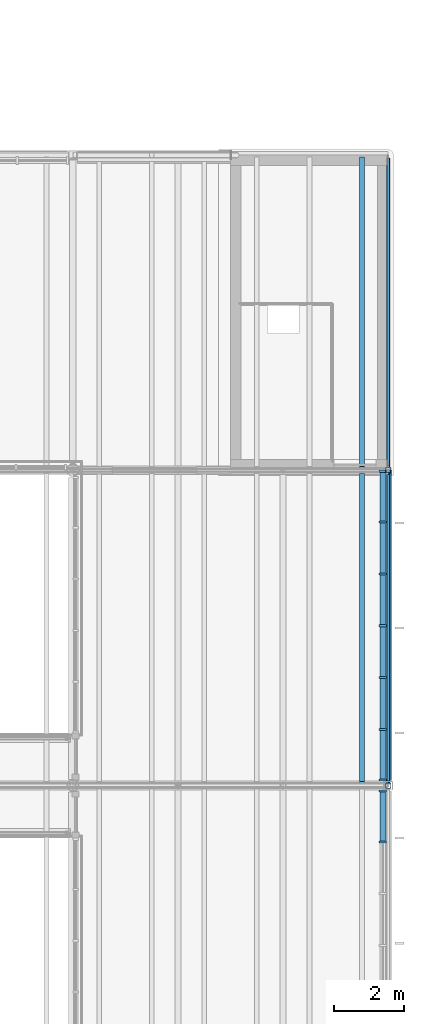
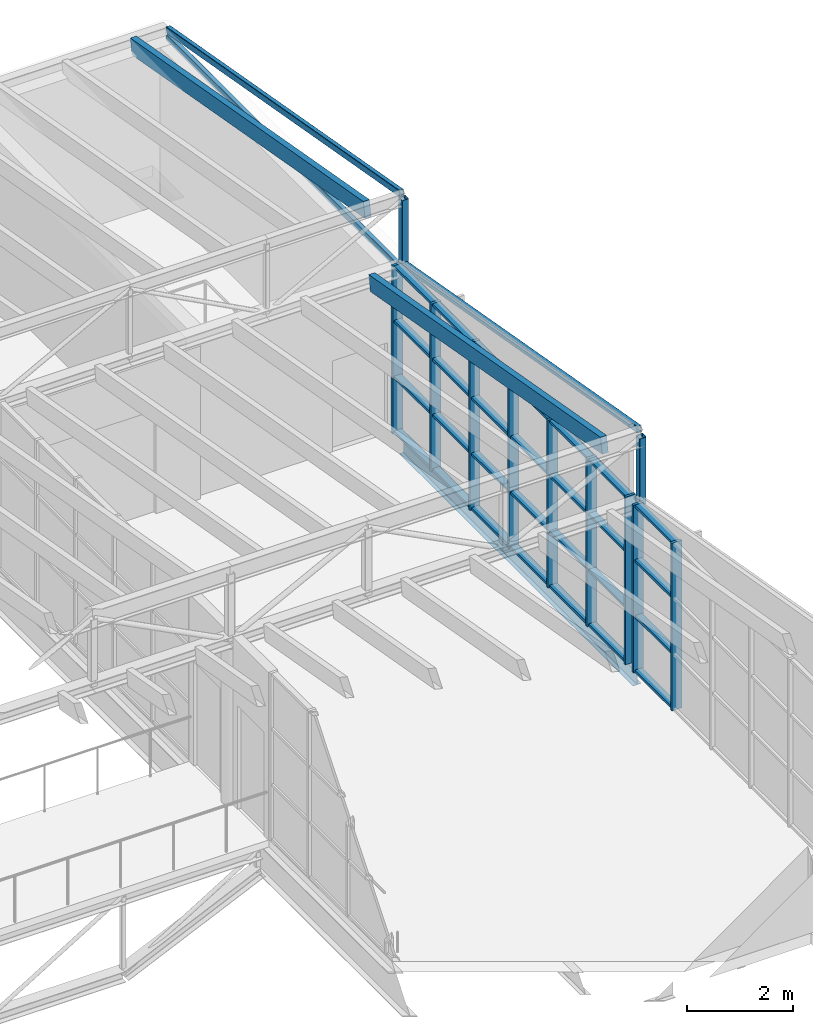
# One storey, part 26 of 44: 45 members, 1 beam, 2 elements without a shape of their own.
"""IFC4 building model written with IfcOpenShell, lengths in metres."""

from ifc_helpers import new_model, si_unit, direction, frame, origin, origin_2d, place, context, subcontext, project, spatial, rectangle, hollow_rectangle, i_section, extrude, material, layer, layer_set, material_profile, profile_set, type_object, element, aggregate, save


model = new_model("IFC4")

# Units and contexts
model_context = context("Model", 3, precision=1e-05, world=origin(), true_north=direction((0.0, 1.0)))
body_context = subcontext(model_context, "Body", "Model", "MODEL_VIEW")
ifc_project = project(units=[si_unit("LENGTHUNIT", "METRE"), si_unit("AREAUNIT", "SQUARE_METRE"), si_unit("VOLUMEUNIT", "CUBIC_METRE"), si_unit("PLANEANGLEUNIT", "RADIAN"), si_unit("MASSUNIT", "GRAM", prefix="KILO")], contexts=[model_context])

# Site, building, storey
site_placement = place(None, origin())
site = spatial("IfcSite", under=ifc_project, at=site_placement, CompositionType="ELEMENT")
building_placement = place(site_placement, origin())
building = spatial("IfcBuilding", under=site, at=building_placement, Name="Halyard Row Museum", CompositionType="ELEMENT")
storey_placement = place(building_placement, frame((0.0, 0.0, 21.199951171875)))
storey = spatial("IfcBuildingStorey", under=building, at=storey_placement, Name="L04", CompositionType="ELEMENT", Elevation=21.199951171875)

# Curtain wall, members
ifc_material_1 = material(Name="Double glazed unit, low-emissivity", Category="glass")
ifc_layer = layer(ifc_material_1, 0.219970703125)
ifc_layer_set = layer_set([ifc_layer], Name="Double glazed unit, low-emissivity")
curtain_wall_type = type_object("IfcCurtainWallType", Name="Curtain wall unitised 220 deep", PredefinedType="NOTDEFINED", material=ifc_layer_set)
curtain_wall_1_placement = place(storey_placement, origin())
curtain_wall_1 = element("IfcCurtainWall", 1, at=curtain_wall_1_placement, inside=storey, type_object=curtain_wall_type, Name="Curtain wall CW059", PredefinedType="NOTDEFINED")
ifc_material_2 = material(Name="Powder-coated aluminium section", Category="aluminium")
ifc_material_profile_1 = material_profile(ifc_material_2, rectangle(XDim=0.219970703125, YDim=0.06005859375, at=origin_2d()), Name="220x60 mullion")
ifc_profile_set_1 = profile_set([ifc_material_profile_1], Name="Powder-coated aluminium section")
member_type_1 = type_object("IfcMemberType", Name="Curtain wall mullion CM3 60 x 220", PredefinedType="MULLION", material=ifc_profile_set_1)
member_1_placement = place(storey_placement, frame((107.840087890625, 16.395751953125, 0.0), z_axis=(0.0, 0.0, 1.0), x_axis=(-1.0, 0.0, 0.0)))
member_1 = element("IfcMember", 2, at=member_1_placement, type_object=member_type_1, Name="CW059 mullion 6", PredefinedType="MULLION", context=body_context, shape_type="SweptSolid", body=[
    extrude(rectangle(XDim=0.219970703125, YDim=0.06005859375, at=origin_2d()), origin(), (0.0, 0.0, 1.0), 3.878173828125),
])
member_2_placement = place(storey_placement, frame((107.840087890625, 17.844970703125, 0.0), z_axis=(0.0, 0.0, 1.0), x_axis=(-1.0, 0.0, 0.0)))
member_2 = element("IfcMember", 3, at=member_2_placement, type_object=member_type_1, Name="CW059 mullion 7", PredefinedType="MULLION", context=body_context, shape_type="SweptSolid", body=[
    extrude(rectangle(XDim=0.219970703125, YDim=0.06005859375, at=origin_2d()), origin(), (0.0, 0.0, 1.0), 3.878173828125),
])

curtain_wall_2_placement = place(storey_placement, origin())
curtain_wall_2 = element("IfcCurtainWall", 4, at=curtain_wall_2_placement, inside=storey, type_object=curtain_wall_type, Name="Curtain wall CW060", PredefinedType="NOTDEFINED")
member_3_placement = place(storey_placement, frame((107.840087890625, 18.155029296875, 0.0), z_axis=(0.0, 0.0, 1.0), x_axis=(-1.0, 0.0, 0.0)))
member_3 = element("IfcMember", 5, at=member_3_placement, type_object=member_type_1, Name="CW060 mullion 1", PredefinedType="MULLION", context=body_context, shape_type="SweptSolid", body=[
    extrude(rectangle(XDim=0.219970703125, YDim=0.06005859375, at=origin_2d()), origin(), (0.0, 0.0, 1.0), 3.878173828125),
])
member_4_placement = place(storey_placement, frame((107.840087890625, 19.604248046875, 0.0), z_axis=(0.0, 0.0, 1.0), x_axis=(-1.0, 0.0, 0.0)))
member_4 = element("IfcMember", 6, at=member_4_placement, type_object=member_type_1, Name="CW060 mullion 2", PredefinedType="MULLION", context=body_context, shape_type="SweptSolid", body=[
    extrude(rectangle(XDim=0.219970703125, YDim=0.06005859375, at=origin_2d()), origin(), (0.0, 0.0, 1.0), 3.878173828125),
])
member_5_placement = place(storey_placement, frame((107.840087890625, 21.083251953125, 0.0), z_axis=(0.0, 0.0, 1.0), x_axis=(-1.0, 0.0, 0.0)))
member_5 = element("IfcMember", 7, at=member_5_placement, type_object=member_type_1, Name="CW060 mullion 3", PredefinedType="MULLION", context=body_context, shape_type="SweptSolid", body=[
    extrude(rectangle(XDim=0.219970703125, YDim=0.06005859375, at=origin_2d()), origin(), (0.0, 0.0, 1.0), 3.878173828125),
])
member_6_placement = place(storey_placement, frame((107.840087890625, 22.5625, 0.0), z_axis=(0.0, 0.0, 1.0), x_axis=(-1.0, 0.0, 0.0)))
member_6 = element("IfcMember", 8, at=member_6_placement, type_object=member_type_1, Name="CW060 mullion 4", PredefinedType="MULLION", context=body_context, shape_type="SweptSolid", body=[
    extrude(rectangle(XDim=0.219970703125, YDim=0.06005859375, at=origin_2d()), origin(), (0.0, 0.0, 1.0), 3.878173828125),
])
member_7_placement = place(storey_placement, frame((107.840087890625, 24.041748046875, 0.0), z_axis=(0.0, 0.0, 1.0), x_axis=(-1.0, 0.0, 0.0)))
member_7 = element("IfcMember", 9, at=member_7_placement, type_object=member_type_1, Name="CW060 mullion 5", PredefinedType="MULLION", context=body_context, shape_type="SweptSolid", body=[
    extrude(rectangle(XDim=0.219970703125, YDim=0.06005859375, at=origin_2d()), origin(), (0.0, 0.0, 1.0), 3.878173828125),
])
member_8_placement = place(storey_placement, frame((107.840087890625, 25.520751953125, 0.0), z_axis=(0.0, 0.0, 1.0), x_axis=(-1.0, 0.0, 0.0)))
member_8 = element("IfcMember", 10, at=member_8_placement, type_object=member_type_1, Name="CW060 mullion 6", PredefinedType="MULLION", context=body_context, shape_type="SweptSolid", body=[
    extrude(rectangle(XDim=0.219970703125, YDim=0.06005859375, at=origin_2d()), origin(), (0.0, 0.0, 1.0), 3.878173828125),
])
member_9_placement = place(storey_placement, frame((107.840087890625, 26.969970703125, 0.0), z_axis=(0.0, 0.0, 1.0), x_axis=(-1.0, 0.0, 0.0)))
member_9 = element("IfcMember", 11, at=member_9_placement, type_object=member_type_1, Name="CW060 mullion 7", PredefinedType="MULLION", context=body_context, shape_type="SweptSolid", body=[
    extrude(rectangle(XDim=0.219970703125, YDim=0.06005859375, at=origin_2d()), origin(), (0.0, 0.0, 1.0), 3.878173828125),
])

# Member
ifc_material_3 = material(Name="Powder-coated aluminium section", Category="aluminium")
ifc_material_profile_2 = material_profile(ifc_material_3, rectangle(XDim=0.159912109375, YDim=0.06005859375, at=origin_2d()), Name="160x60 transom")
ifc_profile_set_2 = profile_set([ifc_material_profile_2], Name="Powder-coated aluminium section")
member_type_2 = type_object("IfcMemberType", Name="Curtain wall transom CT3 60 x 160", PredefinedType="USERDEFINED", material=ifc_profile_set_2)
member_10_placement = place(storey_placement, frame((107.840087890625, 16.42578125, 0.030029296875), z_axis=(0.0, 1.0, 0.0), x_axis=(-1.0, 0.0, 0.0)))
member_10 = element("IfcMember", 12, at=member_10_placement, type_object=member_type_2, Name="CW059 transom 6.1", ObjectType="TRANSOM", PredefinedType="USERDEFINED", context=body_context, shape_type="SweptSolid", body=[
    extrude(rectangle(XDim=0.159912109375, YDim=0.06005859375, at=origin_2d()), origin(), (0.0, 0.0, 1.0), 1.38916015625),
])

member_11_placement = place(storey_placement, frame((107.840087890625, 16.42578125, 1.292724609375), z_axis=(0.0, 1.0, 0.0), x_axis=(-1.0, 0.0, 0.0)))
member_11 = element("IfcMember", 13, at=member_11_placement, type_object=member_type_2, Name="CW059 transom 6.2", ObjectType="TRANSOM", PredefinedType="USERDEFINED", context=body_context, shape_type="SweptSolid", body=[
    extrude(rectangle(XDim=0.159912109375, YDim=0.06005859375, at=origin_2d()), origin(), (0.0, 0.0, 1.0), 1.38916015625),
])

member_12_placement = place(storey_placement, frame((107.840087890625, 16.42578125, 2.58544921875), z_axis=(0.0, 1.0, 0.0), x_axis=(-1.0, 0.0, 0.0)))
member_12 = element("IfcMember", 14, at=member_12_placement, type_object=member_type_2, Name="CW059 transom 6.3", ObjectType="TRANSOM", PredefinedType="USERDEFINED", context=body_context, shape_type="SweptSolid", body=[
    extrude(rectangle(XDim=0.159912109375, YDim=0.06005859375, at=origin_2d()), origin(), (0.0, 0.0, 1.0), 1.38916015625),
])

member_13_placement = place(storey_placement, frame((107.840087890625, 16.42578125, 3.84814453125), z_axis=(0.0, 1.0, 0.0), x_axis=(-1.0, 0.0, 0.0)))
member_13 = element("IfcMember", 15, at=member_13_placement, type_object=member_type_2, Name="CW059 transom 6.4", ObjectType="TRANSOM", PredefinedType="USERDEFINED", context=body_context, shape_type="SweptSolid", body=[
    extrude(rectangle(XDim=0.159912109375, YDim=0.06005859375, at=origin_2d()), origin(), (0.0, 0.0, 1.0), 1.38916015625),
])

aggregate(curtain_wall_1, [member_1, member_2, member_10, member_11, member_12, member_13])

member_14_placement = place(storey_placement, frame((107.840087890625, 18.18505859375, 0.030029296875), z_axis=(0.0, 1.0, 0.0), x_axis=(-1.0, 0.0, 0.0)))
member_14 = element("IfcMember", 16, at=member_14_placement, type_object=member_type_2, Name="CW060 transom 1.1", ObjectType="TRANSOM", PredefinedType="USERDEFINED", context=body_context, shape_type="SweptSolid", body=[
    extrude(rectangle(XDim=0.159912109375, YDim=0.06005859375, at=origin_2d()), origin(), (0.0, 0.0, 1.0), 1.38916015625),
])

member_15_placement = place(storey_placement, frame((107.840087890625, 18.18505859375, 1.292724609375), z_axis=(0.0, 1.0, 0.0), x_axis=(-1.0, 0.0, 0.0)))
member_15 = element("IfcMember", 17, at=member_15_placement, type_object=member_type_2, Name="CW060 transom 1.2", ObjectType="TRANSOM", PredefinedType="USERDEFINED", context=body_context, shape_type="SweptSolid", body=[
    extrude(rectangle(XDim=0.159912109375, YDim=0.06005859375, at=origin_2d()), origin(), (0.0, 0.0, 1.0), 1.38916015625),
])

member_16_placement = place(storey_placement, frame((107.840087890625, 18.18505859375, 2.58544921875), z_axis=(0.0, 1.0, 0.0), x_axis=(-1.0, 0.0, 0.0)))
member_16 = element("IfcMember", 18, at=member_16_placement, type_object=member_type_2, Name="CW060 transom 1.3", ObjectType="TRANSOM", PredefinedType="USERDEFINED", context=body_context, shape_type="SweptSolid", body=[
    extrude(rectangle(XDim=0.159912109375, YDim=0.06005859375, at=origin_2d()), origin(), (0.0, 0.0, 1.0), 1.38916015625),
])

member_17_placement = place(storey_placement, frame((107.840087890625, 18.18505859375, 3.84814453125), z_axis=(0.0, 1.0, 0.0), x_axis=(-1.0, 0.0, 0.0)))
member_17 = element("IfcMember", 19, at=member_17_placement, type_object=member_type_2, Name="CW060 transom 1.4", ObjectType="TRANSOM", PredefinedType="USERDEFINED", context=body_context, shape_type="SweptSolid", body=[
    extrude(rectangle(XDim=0.159912109375, YDim=0.06005859375, at=origin_2d()), origin(), (0.0, 0.0, 1.0), 1.38916015625),
])

member_18_placement = place(storey_placement, frame((107.840087890625, 19.63427734375, 0.030029296875), z_axis=(0.0, 1.0, 0.0), x_axis=(-1.0, 0.0, 0.0)))
member_18 = element("IfcMember", 20, at=member_18_placement, type_object=member_type_2, Name="CW060 transom 2.1", ObjectType="TRANSOM", PredefinedType="USERDEFINED", context=body_context, shape_type="SweptSolid", body=[
    extrude(rectangle(XDim=0.159912109375, YDim=0.06005859375, at=origin_2d()), origin(), (0.0, 0.0, 1.0), 1.4189453125),
])

member_19_placement = place(storey_placement, frame((107.840087890625, 19.63427734375, 1.292724609375), z_axis=(0.0, 1.0, 0.0), x_axis=(-1.0, 0.0, 0.0)))
member_19 = element("IfcMember", 21, at=member_19_placement, type_object=member_type_2, Name="CW060 transom 2.2", ObjectType="TRANSOM", PredefinedType="USERDEFINED", context=body_context, shape_type="SweptSolid", body=[
    extrude(rectangle(XDim=0.159912109375, YDim=0.06005859375, at=origin_2d()), origin(), (0.0, 0.0, 1.0), 1.4189453125),
])

member_20_placement = place(storey_placement, frame((107.840087890625, 19.63427734375, 2.58544921875), z_axis=(0.0, 1.0, 0.0), x_axis=(-1.0, 0.0, 0.0)))
member_20 = element("IfcMember", 22, at=member_20_placement, type_object=member_type_2, Name="CW060 transom 2.3", ObjectType="TRANSOM", PredefinedType="USERDEFINED", context=body_context, shape_type="SweptSolid", body=[
    extrude(rectangle(XDim=0.159912109375, YDim=0.06005859375, at=origin_2d()), origin(), (0.0, 0.0, 1.0), 1.4189453125),
])

member_21_placement = place(storey_placement, frame((107.840087890625, 19.63427734375, 3.84814453125), z_axis=(0.0, 1.0, 0.0), x_axis=(-1.0, 0.0, 0.0)))
member_21 = element("IfcMember", 23, at=member_21_placement, type_object=member_type_2, Name="CW060 transom 2.4", ObjectType="TRANSOM", PredefinedType="USERDEFINED", context=body_context, shape_type="SweptSolid", body=[
    extrude(rectangle(XDim=0.159912109375, YDim=0.06005859375, at=origin_2d()), origin(), (0.0, 0.0, 1.0), 1.4189453125),
])

member_22_placement = place(storey_placement, frame((107.840087890625, 21.11328125, 0.030029296875), z_axis=(0.0, 1.0, 0.0), x_axis=(-1.0, 0.0, 0.0)))
member_22 = element("IfcMember", 24, at=member_22_placement, type_object=member_type_2, Name="CW060 transom 3.1", ObjectType="TRANSOM", PredefinedType="USERDEFINED", context=body_context, shape_type="SweptSolid", body=[
    extrude(rectangle(XDim=0.159912109375, YDim=0.06005859375, at=origin_2d()), origin(), (0.0, 0.0, 1.0), 1.419189453125),
])

member_23_placement = place(storey_placement, frame((107.840087890625, 21.11328125, 1.292724609375), z_axis=(0.0, 1.0, 0.0), x_axis=(-1.0, 0.0, 0.0)))
member_23 = element("IfcMember", 25, at=member_23_placement, type_object=member_type_2, Name="CW060 transom 3.2", ObjectType="TRANSOM", PredefinedType="USERDEFINED", context=body_context, shape_type="SweptSolid", body=[
    extrude(rectangle(XDim=0.159912109375, YDim=0.06005859375, at=origin_2d()), origin(), (0.0, 0.0, 1.0), 1.419189453125),
])

member_24_placement = place(storey_placement, frame((107.840087890625, 21.11328125, 2.58544921875), z_axis=(0.0, 1.0, 0.0), x_axis=(-1.0, 0.0, 0.0)))
member_24 = element("IfcMember", 26, at=member_24_placement, type_object=member_type_2, Name="CW060 transom 3.3", ObjectType="TRANSOM", PredefinedType="USERDEFINED", context=body_context, shape_type="SweptSolid", body=[
    extrude(rectangle(XDim=0.159912109375, YDim=0.06005859375, at=origin_2d()), origin(), (0.0, 0.0, 1.0), 1.419189453125),
])

member_25_placement = place(storey_placement, frame((107.840087890625, 21.11328125, 3.84814453125), z_axis=(0.0, 1.0, 0.0), x_axis=(-1.0, 0.0, 0.0)))
member_25 = element("IfcMember", 27, at=member_25_placement, type_object=member_type_2, Name="CW060 transom 3.4", ObjectType="TRANSOM", PredefinedType="USERDEFINED", context=body_context, shape_type="SweptSolid", body=[
    extrude(rectangle(XDim=0.159912109375, YDim=0.06005859375, at=origin_2d()), origin(), (0.0, 0.0, 1.0), 1.419189453125),
])

member_26_placement = place(storey_placement, frame((107.840087890625, 22.592529296875, 0.030029296875), z_axis=(0.0, 1.0, 0.0), x_axis=(-1.0, 0.0, 0.0)))
member_26 = element("IfcMember", 28, at=member_26_placement, type_object=member_type_2, Name="CW060 transom 4.1", ObjectType="TRANSOM", PredefinedType="USERDEFINED", context=body_context, shape_type="SweptSolid", body=[
    extrude(rectangle(XDim=0.159912109375, YDim=0.06005859375, at=origin_2d()), origin(), (0.0, 0.0, 1.0), 1.419189453125),
])

member_27_placement = place(storey_placement, frame((107.840087890625, 22.592529296875, 1.292724609375), z_axis=(0.0, 1.0, 0.0), x_axis=(-1.0, 0.0, 0.0)))
member_27 = element("IfcMember", 29, at=member_27_placement, type_object=member_type_2, Name="CW060 transom 4.2", ObjectType="TRANSOM", PredefinedType="USERDEFINED", context=body_context, shape_type="SweptSolid", body=[
    extrude(rectangle(XDim=0.159912109375, YDim=0.06005859375, at=origin_2d()), origin(), (0.0, 0.0, 1.0), 1.419189453125),
])

member_28_placement = place(storey_placement, frame((107.840087890625, 22.592529296875, 2.58544921875), z_axis=(0.0, 1.0, 0.0), x_axis=(-1.0, 0.0, 0.0)))
member_28 = element("IfcMember", 30, at=member_28_placement, type_object=member_type_2, Name="CW060 transom 4.3", ObjectType="TRANSOM", PredefinedType="USERDEFINED", context=body_context, shape_type="SweptSolid", body=[
    extrude(rectangle(XDim=0.159912109375, YDim=0.06005859375, at=origin_2d()), origin(), (0.0, 0.0, 1.0), 1.419189453125),
])

member_29_placement = place(storey_placement, frame((107.840087890625, 22.592529296875, 3.84814453125), z_axis=(0.0, 1.0, 0.0), x_axis=(-1.0, 0.0, 0.0)))
member_29 = element("IfcMember", 31, at=member_29_placement, type_object=member_type_2, Name="CW060 transom 4.4", ObjectType="TRANSOM", PredefinedType="USERDEFINED", context=body_context, shape_type="SweptSolid", body=[
    extrude(rectangle(XDim=0.159912109375, YDim=0.06005859375, at=origin_2d()), origin(), (0.0, 0.0, 1.0), 1.419189453125),
])

member_30_placement = place(storey_placement, frame((107.840087890625, 24.07177734375, 0.030029296875), z_axis=(0.0, 1.0, 0.0), x_axis=(-1.0, 0.0, 0.0)))
member_30 = element("IfcMember", 32, at=member_30_placement, type_object=member_type_2, Name="CW060 transom 5.1", ObjectType="TRANSOM", PredefinedType="USERDEFINED", context=body_context, shape_type="SweptSolid", body=[
    extrude(rectangle(XDim=0.159912109375, YDim=0.06005859375, at=origin_2d()), origin(), (0.0, 0.0, 1.0), 1.4189453125),
])

member_31_placement = place(storey_placement, frame((107.840087890625, 24.07177734375, 1.292724609375), z_axis=(0.0, 1.0, 0.0), x_axis=(-1.0, 0.0, 0.0)))
member_31 = element("IfcMember", 33, at=member_31_placement, type_object=member_type_2, Name="CW060 transom 5.2", ObjectType="TRANSOM", PredefinedType="USERDEFINED", context=body_context, shape_type="SweptSolid", body=[
    extrude(rectangle(XDim=0.159912109375, YDim=0.06005859375, at=origin_2d()), origin(), (0.0, 0.0, 1.0), 1.4189453125),
])

member_32_placement = place(storey_placement, frame((107.840087890625, 24.07177734375, 2.58544921875), z_axis=(0.0, 1.0, 0.0), x_axis=(-1.0, 0.0, 0.0)))
member_32 = element("IfcMember", 34, at=member_32_placement, type_object=member_type_2, Name="CW060 transom 5.3", ObjectType="TRANSOM", PredefinedType="USERDEFINED", context=body_context, shape_type="SweptSolid", body=[
    extrude(rectangle(XDim=0.159912109375, YDim=0.06005859375, at=origin_2d()), origin(), (0.0, 0.0, 1.0), 1.4189453125),
])

member_33_placement = place(storey_placement, frame((107.840087890625, 24.07177734375, 3.84814453125), z_axis=(0.0, 1.0, 0.0), x_axis=(-1.0, 0.0, 0.0)))
member_33 = element("IfcMember", 35, at=member_33_placement, type_object=member_type_2, Name="CW060 transom 5.4", ObjectType="TRANSOM", PredefinedType="USERDEFINED", context=body_context, shape_type="SweptSolid", body=[
    extrude(rectangle(XDim=0.159912109375, YDim=0.06005859375, at=origin_2d()), origin(), (0.0, 0.0, 1.0), 1.4189453125),
])

member_34_placement = place(storey_placement, frame((107.840087890625, 25.55078125, 0.030029296875), z_axis=(0.0, 1.0, 0.0), x_axis=(-1.0, 0.0, 0.0)))
member_34 = element("IfcMember", 36, at=member_34_placement, type_object=member_type_2, Name="CW060 transom 6.1", ObjectType="TRANSOM", PredefinedType="USERDEFINED", context=body_context, shape_type="SweptSolid", body=[
    extrude(rectangle(XDim=0.159912109375, YDim=0.06005859375, at=origin_2d()), origin(), (0.0, 0.0, 1.0), 1.38916015625),
])

member_35_placement = place(storey_placement, frame((107.840087890625, 25.55078125, 1.292724609375), z_axis=(0.0, 1.0, 0.0), x_axis=(-1.0, 0.0, 0.0)))
member_35 = element("IfcMember", 37, at=member_35_placement, type_object=member_type_2, Name="CW060 transom 6.2", ObjectType="TRANSOM", PredefinedType="USERDEFINED", context=body_context, shape_type="SweptSolid", body=[
    extrude(rectangle(XDim=0.159912109375, YDim=0.06005859375, at=origin_2d()), origin(), (0.0, 0.0, 1.0), 1.38916015625),
])

member_36_placement = place(storey_placement, frame((107.840087890625, 25.55078125, 2.58544921875), z_axis=(0.0, 1.0, 0.0), x_axis=(-1.0, 0.0, 0.0)))
member_36 = element("IfcMember", 38, at=member_36_placement, type_object=member_type_2, Name="CW060 transom 6.3", ObjectType="TRANSOM", PredefinedType="USERDEFINED", context=body_context, shape_type="SweptSolid", body=[
    extrude(rectangle(XDim=0.159912109375, YDim=0.06005859375, at=origin_2d()), origin(), (0.0, 0.0, 1.0), 1.38916015625),
])

member_37_placement = place(storey_placement, frame((107.840087890625, 25.55078125, 3.84814453125), z_axis=(0.0, 1.0, 0.0), x_axis=(-1.0, 0.0, 0.0)))
member_37 = element("IfcMember", 39, at=member_37_placement, type_object=member_type_2, Name="CW060 transom 6.4", ObjectType="TRANSOM", PredefinedType="USERDEFINED", context=body_context, shape_type="SweptSolid", body=[
    extrude(rectangle(XDim=0.159912109375, YDim=0.06005859375, at=origin_2d()), origin(), (0.0, 0.0, 1.0), 1.38916015625),
])

aggregate(curtain_wall_2, [member_3, member_4, member_5, member_6, member_7, member_8, member_9, member_14, member_15, member_16, member_17, member_18, member_19, member_20, member_21, member_22, member_23, member_24, member_25, member_26, member_27, member_28, member_29, member_30, member_31, member_32, member_33, member_34, member_35, member_36, member_37])

# Beam
ifc_material_4 = material(Name="Steel Grade 300", Category="steel")
ifc_material_profile_3 = material_profile(ifc_material_4, i_section(OverallWidth=0.177978515625, OverallDepth=0.402587890625, WebThickness=0.007568359375, FlangeThickness=0.010986328125, FilletRadius=0.011474609375, at=origin_2d()), Name="410UB53.7")
ifc_profile_set_3 = profile_set([ifc_material_profile_3], Name="Steel Grade 300")
beam_type = type_object("IfcBeamType", Name="Edge beam 410UB53.7", PredefinedType="BEAM", material=ifc_profile_set_3)
beam_placement = place(storey_placement, frame((108.0, 18.14990234375, -0.3662109375), z_axis=(0.0, 1.0, 0.0), x_axis=(-1.0, 0.0, 0.0)))
element("IfcBeam", 40, at=beam_placement, inside=storey, type_object=beam_type, Name="Beam L04-032", PredefinedType="BEAM", context=body_context, shape_type="SweptSolid", body=[
    extrude(i_section(OverallWidth=0.177978515625, OverallDepth=0.402587890625, WebThickness=0.007568359375, FlangeThickness=0.010986328125, FilletRadius=0.011474609375, at=origin_2d()), origin(), (0.0, 0.0, 1.0), 8.85009765625),
])

# Members
ifc_material_5 = material(Name="Steel Grade C350L0", Category="steel")
ifc_material_profile_4 = material_profile(ifc_material_5, hollow_rectangle(XDim=0.10009765625, YDim=0.14990234375, WallThickness=0.006103515625, InnerFilletRadius=0.009033203125, OuterFilletRadius=0.014892578125, at=origin_2d()), Name="150x100x6.0RHS")
ifc_profile_set_4 = profile_set([ifc_material_profile_4], Name="Steel Grade C350L0")
member_type_3 = type_object("IfcMemberType", Name="Gable end chord 150x100x6.0RHS", PredefinedType="CHORD", material=ifc_profile_set_4)
member_38_placement = place(storey_placement, frame((108.0, 18.1279296875, 3.647705078125), z_axis=(0.0, 1.0, 0.0), x_axis=(-1.0, 0.0, 0.0)))
element("IfcMember", 41, at=member_38_placement, inside=storey, type_object=member_type_3, Name="V2-GE3 eave chord", PredefinedType="CHORD", context=body_context, shape_type="SweptSolid", body=[
    extrude(hollow_rectangle(XDim=0.10009765625, YDim=0.14990234375, WallThickness=0.006103515625, InnerFilletRadius=0.009033203125, OuterFilletRadius=0.014892578125, at=origin_2d()), origin(), (0.0, 0.0, 1.0), 8.7451171875),
])
member_39_placement = place(storey_placement, frame((108.0, 27.126953125, 3.647705078125), z_axis=(0.0, 1.0, 0.0), x_axis=(-1.0, 0.0, 0.0)))
element("IfcMember", 42, at=member_39_placement, inside=storey, type_object=member_type_3, Name="V2-GE4 eave chord", PredefinedType="CHORD", context=body_context, shape_type="SweptSolid", body=[
    extrude(hollow_rectangle(XDim=0.10009765625, YDim=0.14990234375, WallThickness=0.006103515625, InnerFilletRadius=0.009033203125, OuterFilletRadius=0.014892578125, at=origin_2d()), origin(), (0.0, 0.0, 1.0), 8.777587890625),
])
ifc_material_6 = material(Name="Steel Grade C350L0", Category="steel")
ifc_material_profile_5 = material_profile(ifc_material_6, hollow_rectangle(XDim=0.10009765625, YDim=0.14990234375, WallThickness=0.006103515625, InnerFilletRadius=0.009033203125, OuterFilletRadius=0.014892578125, at=origin_2d()), Name="150x100x6.0RHS")
ifc_profile_set_5 = profile_set([ifc_material_profile_5], Name="Steel Grade C350L0")
member_type_4 = type_object("IfcMemberType", Name="Gable end rafter 150x100x6.0RHS", PredefinedType="RAFTER", material=ifc_profile_set_5)
member_40_placement = place(storey_placement, frame((108.0, 18.074951171875, 5.390625), z_axis=(0.0, 0.984559907364, -0.175047961461), x_axis=(-1.0, 0.0, 0.0)))
element("IfcMember", 43, at=member_40_placement, inside=storey, type_object=member_type_4, Name="V2-GE3 raking rafter", PredefinedType="RAFTER", context=body_context, shape_type="SweptSolid", body=[
    extrude(hollow_rectangle(XDim=0.10009765625, YDim=0.14990234375, WallThickness=0.006103515625, InnerFilletRadius=0.009033203125, OuterFilletRadius=0.014892578125, at=origin_2d()), origin(), (0.0, 0.0, 1.0), 8.98876953125),
])
member_41_placement = place(storey_placement, frame((108.0, 27.074951171875, 5.390625), z_axis=(0.0, 0.98456021411, -0.175046236154), x_axis=(-1.0, 0.0, 0.0)))
element("IfcMember", 44, at=member_41_placement, inside=storey, type_object=member_type_4, Name="V2-GE4 raking rafter", PredefinedType="RAFTER", context=body_context, shape_type="SweptSolid", body=[
    extrude(hollow_rectangle(XDim=0.10009765625, YDim=0.14990234375, WallThickness=0.006103515625, InnerFilletRadius=0.009033203125, OuterFilletRadius=0.014892578125, at=origin_2d()), origin(), (0.0, 0.0, 1.0), 8.968017578125),
])
ifc_material_7 = material(Name="Glulam GL12 radiata pine", Category="wood")
ifc_material_profile_6 = material_profile(ifc_material_7, rectangle(XDim=0.135009765625, YDim=0.360107421875, at=origin_2d()), Name="GL12 135x360")
ifc_profile_set_6 = profile_set([ifc_material_profile_6], Name="Glulam GL12 radiata pine")
member_type_5 = type_object("IfcMemberType", Name="Rafter GL12 135x360", PredefinedType="RAFTER", material=ifc_profile_set_6)
member_42_placement = place(storey_placement, frame((107.25, 18.089111328125, 5.281494140625), z_axis=(0.0, 0.98455904933, -0.175052787419), x_axis=(-1.0, 0.0, 0.0)))
element("IfcMember", 45, at=member_42_placement, inside=storey, type_object=member_type_5, Name="Rafter V2-T3c.6", PredefinedType="RAFTER", context=body_context, shape_type="SweptSolid", body=[
    extrude(rectangle(XDim=0.135009765625, YDim=0.360107421875, at=origin_2d()), origin(), (0.0, 0.0, 1.0), 8.921630859375),
])
member_43_placement = place(storey_placement, frame((107.25, 27.074462890625, 5.283935546875), z_axis=(0.0, 0.984561882288, -0.175036853105), x_axis=(-1.0, 0.0, 0.0)))
element("IfcMember", 46, at=member_43_placement, inside=storey, type_object=member_type_5, Name="Rafter V2-T4a.24", PredefinedType="RAFTER", context=body_context, shape_type="SweptSolid", body=[
    extrude(rectangle(XDim=0.135009765625, YDim=0.360107421875, at=origin_2d()), origin(), (0.0, 0.0, 1.0), 8.968505859375),
])
ifc_material_8 = material(Name="Steel Grade C350L0", Category="steel")
ifc_material_profile_7 = material_profile(ifc_material_8, hollow_rectangle(XDim=0.14990234375, YDim=0.14990234375, WallThickness=0.006103515625, InnerFilletRadius=0.009033203125, OuterFilletRadius=0.014892578125, at=origin_2d()), Name="150x150x6.0SHS")
ifc_profile_set_7 = profile_set([ifc_material_profile_7], Name="Steel Grade C350L0")
member_type_6 = type_object("IfcMemberType", Name="Valley truss post 150x150x6.0SHS", PredefinedType="POST", material=ifc_profile_set_7)
member_44_placement = place(storey_placement, frame((108.0, 18.0, 3.72998046875), z_axis=(0.0, 0.0, 1.0), x_axis=(1.0, 0.0, 0.0)))
element("IfcMember", 47, at=member_44_placement, inside=storey, type_object=member_type_6, Name="V2-VT3 post 3.3", PredefinedType="POST", context=body_context, shape_type="SweptSolid", body=[
    extrude(hollow_rectangle(XDim=0.14990234375, YDim=0.14990234375, WallThickness=0.006103515625, InnerFilletRadius=0.009033203125, OuterFilletRadius=0.014892578125, at=origin_2d()), origin(), (0.0, 0.0, 1.0), 1.546875),
])
member_45_placement = place(storey_placement, frame((108.0, 27.0, 3.72705078125), z_axis=(0.0, 0.0, 1.0), x_axis=(1.0, 0.0, 0.0)))
element("IfcMember", 48, at=member_45_placement, inside=storey, type_object=member_type_6, Name="V2-VT4 post 4.3", PredefinedType="POST", context=body_context, shape_type="SweptSolid", body=[
    extrude(hollow_rectangle(XDim=0.14990234375, YDim=0.14990234375, WallThickness=0.006103515625, InnerFilletRadius=0.009033203125, OuterFilletRadius=0.014892578125, at=origin_2d()), origin(), (0.0, 0.0, 1.0), 1.60400390625),
])

save(model, "model.ifc")
